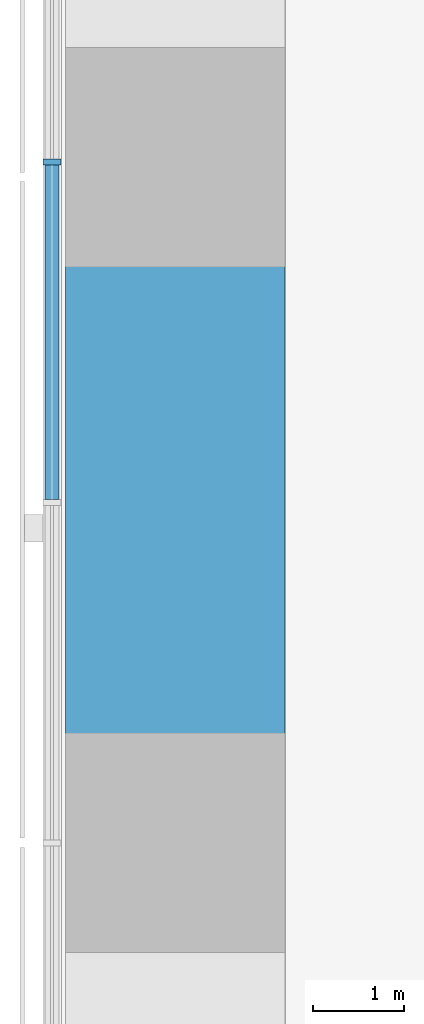
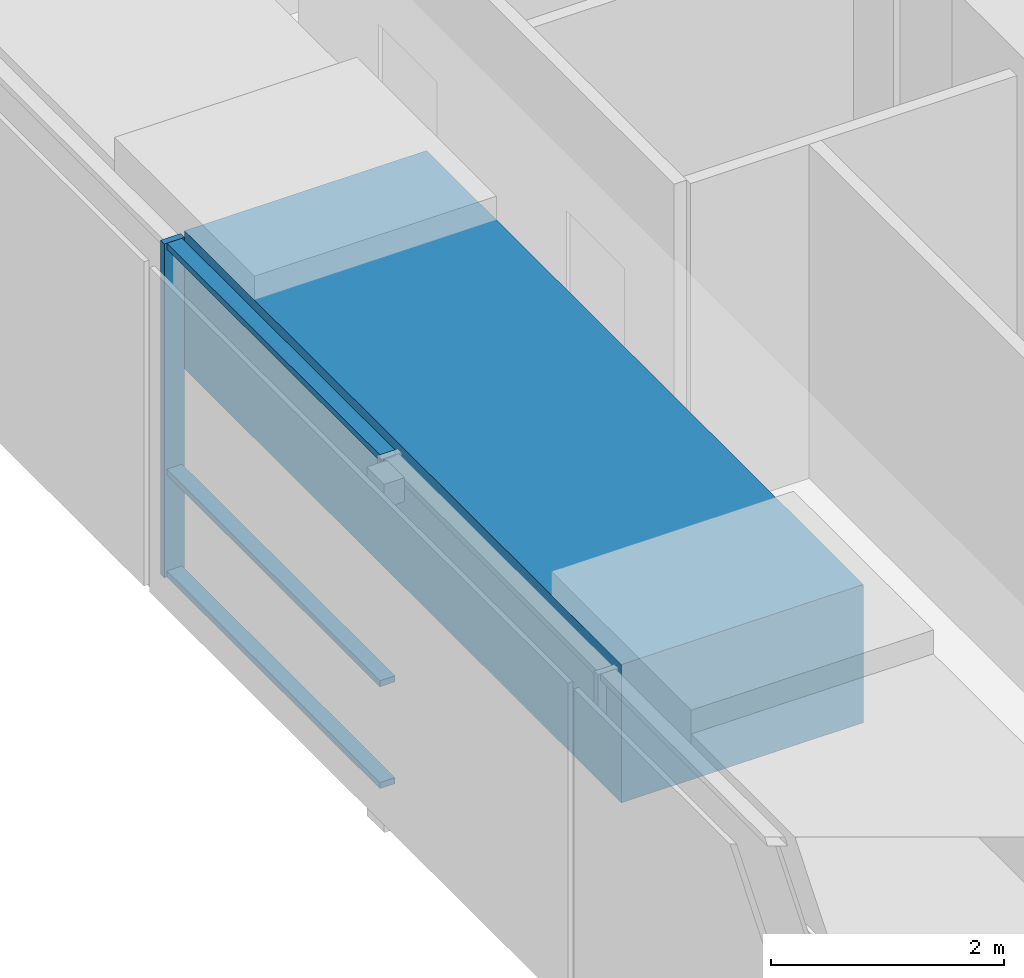
# One storey, part 3 of 19: 4 members, 1 beam, 1 element without a shape of its own.
"""IFC4 building model written with IfcOpenShell, lengths in metres."""

import ifcopenshell
import ifcopenshell.guid

model = None  # the IFC model being written
_history = None  # IfcOwnerHistory: only IFC2X3 demands one
_inside = {}  # id of a spatial element -> (the spatial element, [elements in it])
_under = {}  # id of a project, library or spatial element -> (it, [spatial elements below it])
_declared = {}  # id of a project -> (the project, [libraries it declares])
_typed = {}  # id of a type object -> (the type object, [elements of that type])
_made_of = {}  # id of a material, layer set ... -> (it, [elements and type objects made of it])


def new_model(schema):
    """Start an empty IFC model of exactly this schema.

    Asked for "IFC4X3", IfcOpenShell would pick the latest addendum, in which some entities
    have other attributes; the version numbers below select the first issue.
    IFC2X3 requires an IfcOwnerHistory on every rooted entity: one is made here for all.
    """
    global model, _history
    if schema == "IFC4X3":
        model = ifcopenshell.file(schema_version=(4, 3, 0, 0))
    else:
        model = ifcopenshell.file(schema=schema)
    _inside.clear()
    _under.clear()
    _declared.clear()
    _typed.clear()
    _made_of.clear()
    _history = None
    if model.schema == "IFC2X3":
        org = make("IfcOrganization", Name="unknown")
        user = make(
            "IfcPersonAndOrganization",
            ThePerson=make("IfcPerson", FamilyName="unknown"),
            TheOrganization=org,
        )
        app = make(
            "IfcApplication",
            ApplicationDeveloper=org,
            Version="unknown",
            ApplicationFullName="unknown",
            ApplicationIdentifier="unknown",
        )
        _history = make(
            "IfcOwnerHistory",
            OwningUser=user,
            OwningApplication=app,
            ChangeAction="ADDED",
            CreationDate=0,
        )
    return model


def make(cls, **values):
    """One entity of the class cls with the attributes given. An attribute that is None is left unset."""
    return model.create_entity(
        cls, **{name: value for name, value in values.items() if value is not None}
    )


def rooted(cls, **values):
    """An entity with a GlobalId (a new one), such as an element, a storey or a relation."""
    return make(cls, GlobalId=ifcopenshell.guid.new(), OwnerHistory=_history, **values)


def si_unit(unit_type, name, prefix=None):
    """IfcSIUnit, for example si_unit("LENGTHUNIT", "METRE", prefix="MILLI")."""
    return make("IfcSIUnit", UnitType=unit_type, Prefix=prefix, Name=name)


def assignment(units):
    """IfcUnitAssignment: the units of a project."""
    return None if units is None else make("IfcUnitAssignment", Units=units)


def point(xyz):
    """IfcCartesianPoint."""
    return None if xyz is None else make("IfcCartesianPoint", Coordinates=xyz)


def direction(xyz):
    """IfcDirection."""
    return None if xyz is None else make("IfcDirection", DirectionRatios=xyz)


def frame(location, z_axis=None, x_axis=None):
    """IfcAxis2Placement3D, a coordinate frame: its origin and axes. An axis left out is left unset."""
    return make(
        "IfcAxis2Placement3D",
        Location=point(location),
        Axis=direction(z_axis),
        RefDirection=direction(x_axis),
    )


def frame_2d(location, x_axis=None):
    """IfcAxis2Placement2D, a coordinate frame in the plane: its origin and x axis."""
    return make(
        "IfcAxis2Placement2D", Location=point(location), RefDirection=direction(x_axis)
    )


def origin():
    """The frame at (0, 0, 0) with its axes left unset."""
    return frame((0.0, 0.0, 0.0))


def origin_2d():
    """The frame at (0, 0) in the plane with its x axis left unset."""
    return frame_2d((0.0, 0.0))


def place(relative_to, where):
    """IfcLocalPlacement: puts the frame where relative to a parent placement (None: the world)."""
    return make(
        "IfcLocalPlacement", PlacementRelTo=relative_to, RelativePlacement=where
    )


def context(
    kind, dimensions, precision=None, world=None, true_north=None, identifier=None
):
    """IfcGeometricRepresentationContext, for example the 3D "Model" context."""
    return make(
        "IfcGeometricRepresentationContext",
        ContextIdentifier=identifier,
        ContextType=kind,
        CoordinateSpaceDimension=dimensions,
        Precision=precision,
        WorldCoordinateSystem=world,
        TrueNorth=true_north,
    )


def subcontext(parent, identifier, kind, view, scale=None):
    """IfcGeometricRepresentationSubContext, for example "Body" below "Model"."""
    return make(
        "IfcGeometricRepresentationSubContext",
        ContextIdentifier=identifier,
        ContextType=kind,
        ParentContext=parent,
        TargetScale=scale,
        TargetView=view,
    )


def project(units=None, contexts=None):
    """IfcProject with its units and contexts."""
    return rooted(
        "IfcProject",
        Name="project",
        RepresentationContexts=contexts,
        UnitsInContext=assignment(units),
    )


def spatial(cls, under=None, at=None, **own):
    """A site, building, storey or space (cls), placed at a placement, below another one or the project."""
    s = rooted(cls, ObjectPlacement=at, **own)
    if under is not None:
        _under.setdefault(under.id(), (under, []))[1].append(s)
    return s


def profile(cls, at=None, kind="AREA", **sizes):
    """A parametric profile (cls). Its sizes go by their IFC names, for example OverallWidth=200.0."""
    return make(cls, ProfileType=kind, Position=at, **sizes)


def rectangle(**sizes):
    """IfcRectangleProfileDef."""
    return profile("IfcRectangleProfileDef", **sizes)


def extrude(swept, where, along, depth):
    """IfcExtrudedAreaSolid: the profile swept, set in the frame where, extruded along a direction by depth."""
    return make(
        "IfcExtrudedAreaSolid",
        SweptArea=swept,
        Position=where,
        ExtrudedDirection=direction(along),
        Depth=depth,
    )


def shape(context_of_items, identifier, shape_type, items):
    """IfcShapeRepresentation: the items that make up one representation, for example the "Body"."""
    return make(
        "IfcShapeRepresentation",
        ContextOfItems=context_of_items,
        RepresentationIdentifier=identifier,
        RepresentationType=shape_type,
        Items=items,
    )


def material(Name=None, Category=None):
    """IfcMaterial."""
    return make("IfcMaterial", Name=Name, Category=Category)


def material_profile(
    of_material, cross_section, Name=None, Category=None, Priority=None
):
    """IfcMaterialProfile: a cross section and its material."""
    return make(
        "IfcMaterialProfile",
        Name=Name,
        Material=of_material,
        Profile=cross_section,
        Priority=Priority,
        Category=Category,
    )


def profile_set(profiles, Name=None, composite=None):
    """IfcMaterialProfileSet."""
    return make(
        "IfcMaterialProfileSet",
        Name=Name,
        MaterialProfiles=profiles,
        CompositeProfile=composite,
    )


def made_of(thing, what):
    """Note that an element or type object is made of a material, layer set ...; save() writes the relation."""
    if what is not None:
        _made_of.setdefault(what.id(), (what, []))[1].append(thing)
    return thing


def type_object(cls, material=None, **own):
    """A type object (cls), such as IfcWallType, which elements share."""
    return made_of(rooted(cls, **own), material)


def element(
    cls,
    number,
    at=None,
    inside=None,
    cuts=None,
    type_object=None,
    material=None,
    context=None,
    identifier="Body",
    shape_type=None,
    held_by="IfcProductDefinitionShape",
    body=None,
    shapes=None,
    **own,
):
    """One element of the class cls, such as IfcWall. Its Tag is "e" and its number.

    at: its placement. inside: the storey or other place that contains it. cuts: it is an
    opening in that element (IfcRelVoidsElement). A single representation is given by context,
    identifier, shape_type and body (its items); several are given by shapes. held_by: the class
    of the entity that holds the representations. save() writes the other relations.
    """
    e = rooted(cls, Tag="e%d" % number, ObjectPlacement=at, **own)
    if body is not None:
        shapes = [shape(context, identifier, shape_type, body)]
    if shapes is not None:
        e.Representation = make(held_by, Representations=shapes)
    if inside is not None:
        _inside.setdefault(inside.id(), (inside, []))[1].append(e)
    if cuts is not None:
        rooted(
            "IfcRelVoidsElement", RelatingBuildingElement=cuts, RelatedOpeningElement=e
        )
    if type_object is not None:
        _typed.setdefault(type_object.id(), (type_object, []))[1].append(e)
    return made_of(e, material)


def aggregate(whole, parts):
    """IfcRelAggregates: a whole, such as a stair, and the parts it consists of."""
    return rooted("IfcRelAggregates", RelatingObject=whole, RelatedObjects=parts)


def save(model, path):
    """Write the relations noted so far, then the file.

    IfcRelAggregates (storeys below a building ...), IfcRelContainedInSpatialStructure (elements
    in a storey), IfcRelDefinesByType, IfcRelAssociatesMaterial and IfcRelDeclares: one each for
    every whole, place, type object, material and project.
    """
    for whole, parts in _under.values():
        aggregate(whole, parts)
    for where, things in _inside.values():
        rooted(
            "IfcRelContainedInSpatialStructure",
            RelatedElements=things,
            RelatingStructure=where,
        )
    for kind, things in _typed.values():
        rooted("IfcRelDefinesByType", RelatedObjects=things, RelatingType=kind)
    for what, things in _made_of.values():
        rooted("IfcRelAssociatesMaterial", RelatedObjects=things, RelatingMaterial=what)
    for by, libraries in _declared.values():
        rooted("IfcRelDeclares", RelatingContext=by, RelatedDefinitions=libraries)
    model.write(path)


model = new_model("IFC4")

# Units and contexts
model_context = context("Model", 3, precision=1e-05, world=origin(), true_north=direction((0.0, 1.0)))
body_context = subcontext(model_context, "Body", "Model", "MODEL_VIEW")
ifc_project = project(units=[si_unit("LENGTHUNIT", "METRE"), si_unit("AREAUNIT", "SQUARE_METRE"), si_unit("VOLUMEUNIT", "CUBIC_METRE"), si_unit("PLANEANGLEUNIT", "RADIAN"), si_unit("MASSUNIT", "GRAM", prefix="KILO")], contexts=[model_context])

# Site, building, storey
site_placement = place(None, origin())
site = spatial("IfcSite", under=ifc_project, at=site_placement, CompositionType="ELEMENT")
building_placement = place(site_placement, origin())
building = spatial("IfcBuilding", under=site, at=building_placement, Name="Sheger Commons Tower", CompositionType="ELEMENT")
storey_placement = place(building_placement, frame((0.0, 0.0, 219.949951171875)))
storey = spatial("IfcBuildingStorey", under=building, at=storey_placement, Name="L56", CompositionType="ELEMENT", Elevation=219.949951171875)

# Curtain wall, member
ifc_material_1 = material(Name="Black aluminium curtain wall, dark tinted glazing", Category="aluminium")
curtain_wall_type = type_object("IfcCurtainWallType", Name="CURTAIN WALL CW4 GALLERY", PredefinedType="USERDEFINED", material=ifc_material_1)
curtain_wall_placement = place(storey_placement, origin())
curtain_wall = element("IfcCurtainWall", 1, at=curtain_wall_placement, inside=storey, type_object=curtain_wall_type, Name="Curtain Wall Cw4 Gallery W1 L56", ObjectType="UNITISED CURTAIN WALL", PredefinedType="USERDEFINED")
ifc_material_2 = material(Name="Black anodised aluminium", Category="aluminium")
ifc_material_profile_1 = material_profile(ifc_material_2, rectangle(XDim=0.199951171875, YDim=0.06494140625, at=origin_2d()), Name="AL 65x200")
ifc_profile_set_1 = profile_set([ifc_material_profile_1], Name="Black anodised aluminium")
member_type_1 = type_object("IfcMemberType", Name="MULLION AL 65x200", PredefinedType="MULLION", material=ifc_profile_set_1)
member_1_placement = place(storey_placement, frame((6.449951171875, 29.946044921875, 0.0), z_axis=(0.0, 0.0, 1.0), x_axis=(1.0, 0.0, 0.0)))
member_1 = element("IfcMember", 2, at=member_1_placement, type_object=member_type_1, Name="CW4 mullion 9", PredefinedType="MULLION", context=body_context, shape_type="SweptSolid", body=[
    extrude(rectangle(XDim=0.199951171875, YDim=0.06494140625, at=origin_2d()), origin(), (0.0, 0.0, 1.0), 3.5),
])

# Beam
ifc_material_3 = material(Name="Concrete C50/60", Category="concrete")
ifc_material_profile_2 = material_profile(ifc_material_3, rectangle(XDim=2.39990234375, YDim=1.449951171875, at=origin_2d()), Name="RC 2400x1450")
ifc_profile_set_2 = profile_set([ifc_material_profile_2], Name="Concrete C50/60")
beam_type = type_object("IfcBeamType", Name="SPANDREL RC 2400x1450", PredefinedType="SPANDREL", material=ifc_profile_set_2)
beam_placement = place(storey_placement, frame((7.800048828125, 30.0, 2.775146484375), z_axis=(0.0, -1.0, 0.0), x_axis=(1.0, 0.0, 0.0)))
element("IfcBeam", 3, at=beam_placement, inside=storey, type_object=beam_type, Name="Beam 2/E-2/D under L57", PredefinedType="SPANDREL", context=body_context, shape_type="SweptSolid", body=[
    extrude(rectangle(XDim=2.39990234375, YDim=1.449951171875, at=origin_2d()), origin(), (0.0, 0.0, 1.0), 7.5),
])

# Member
ifc_material_4 = material(Name="Black anodised aluminium", Category="aluminium")
ifc_material_profile_3 = material_profile(ifc_material_4, rectangle(XDim=0.14990234375, YDim=0.06494140625, at=origin_2d()), Name="AL 65x150")
ifc_profile_set_3 = profile_set([ifc_material_profile_3], Name="Black anodised aluminium")
member_type_2 = type_object("IfcMemberType", Name="TRANSOM AL 65x150", PredefinedType="USERDEFINED", material=ifc_profile_set_3)
member_2_placement = place(storey_placement, frame((6.449951171875, 29.91357421875, 0.032470703125), z_axis=(0.0, -1.0, 0.0), x_axis=(1.0, 0.0, 0.0)))
member_2 = element("IfcMember", 4, at=member_2_placement, type_object=member_type_2, Name="CW4 transom 9.1", ObjectType="TRANSOM", PredefinedType="USERDEFINED", context=body_context, shape_type="SweptSolid", body=[
    extrude(rectangle(XDim=0.14990234375, YDim=0.06494140625, at=origin_2d()), origin(), (0.0, 0.0, 1.0), 3.657958984375),
])

member_3_placement = place(storey_placement, frame((6.449951171875, 29.91357421875, 1.10009765625), z_axis=(0.0, -1.0, 0.0), x_axis=(1.0, 0.0, 0.0)))
member_3 = element("IfcMember", 5, at=member_3_placement, type_object=member_type_2, Name="CW4 transom 9.2", ObjectType="TRANSOM", PredefinedType="USERDEFINED", context=body_context, shape_type="SweptSolid", body=[
    extrude(rectangle(XDim=0.14990234375, YDim=0.06494140625, at=origin_2d()), origin(), (0.0, 0.0, 1.0), 3.657958984375),
])

member_4_placement = place(storey_placement, frame((6.449951171875, 29.91357421875, 3.467529296875), z_axis=(0.0, -1.0, 0.0), x_axis=(1.0, 0.0, 0.0)))
member_4 = element("IfcMember", 6, at=member_4_placement, type_object=member_type_2, Name="CW4 transom 9.3", ObjectType="TRANSOM", PredefinedType="USERDEFINED", context=body_context, shape_type="SweptSolid", body=[
    extrude(rectangle(XDim=0.14990234375, YDim=0.06494140625, at=origin_2d()), origin(), (0.0, 0.0, 1.0), 3.657958984375),
])

aggregate(curtain_wall, [member_1, member_2, member_3, member_4])

save(model, "model.ifc")
